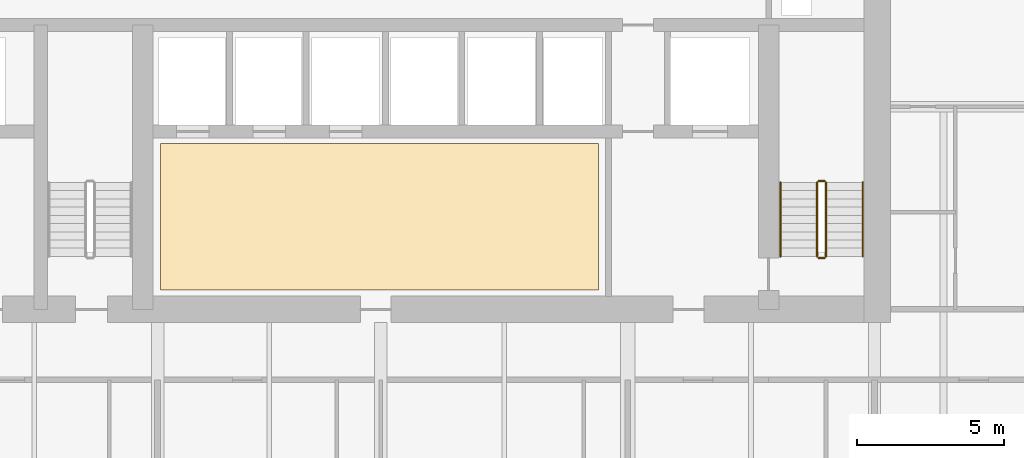
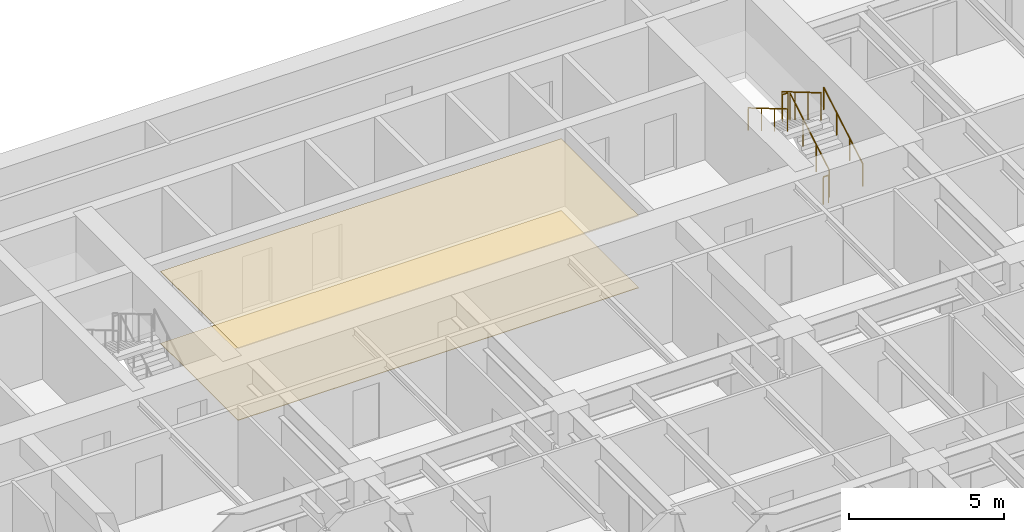
# One storey, part 16 of 17: 6 railings, 2 coverings.
"""IFC4 building model written with IfcOpenShell, lengths in metres."""

from ifc_helpers import new_model, si_unit, direction, frame, origin, origin_2d, place, context, subcontext, project, spatial, polyline, circle, outline, extrude, material, layer, layer_set, type_object, element, save


model = new_model("IFC4")

# Units and contexts
model_context = context("Model", 3, precision=1e-05, world=origin(), true_north=direction((0.0, 1.0)))
body_context = subcontext(model_context, "Body", "Model", "MODEL_VIEW")
ifc_project = project(units=[si_unit("LENGTHUNIT", "METRE"), si_unit("AREAUNIT", "SQUARE_METRE"), si_unit("VOLUMEUNIT", "CUBIC_METRE"), si_unit("PLANEANGLEUNIT", "RADIAN"), si_unit("MASSUNIT", "GRAM", prefix="KILO")], contexts=[model_context])

# Site, building, storey
site_placement = place(None, origin())
site = spatial("IfcSite", under=ifc_project, at=site_placement, CompositionType="ELEMENT")
building_placement = place(site_placement, origin())
building = spatial("IfcBuilding", under=site, at=building_placement, Name="Caelmar Bay Residences", CompositionType="ELEMENT")
storey_placement = place(building_placement, frame((0.0, 0.0, 30.0)))
storey = spatial("IfcBuildingStorey", under=building, at=storey_placement, Name="L06", CompositionType="ELEMENT", Elevation=30.0)

# Coverings
ifc_material_1 = material(Name="Perforated acoustic gypsum-mineral ceiling tile 20 mm")
ifc_layer_1 = layer(ifc_material_1, 0.02001953125)
ifc_layer_set_1 = layer_set([ifc_layer_1], Name="Perforated acoustic gypsum-mineral ceiling tile 20 mm")
covering_type_1 = type_object("IfcCoveringType", Name="COV-CEIL-20", PredefinedType="CEILING", material=ifc_layer_set_1)
covering_1_placement = place(storey_placement, frame((0.0, 0.0, 2.830078125)))
element("IfcCovering", 1, at=covering_1_placement, inside=storey, type_object=covering_type_1, Name="L06 Lift Lobby Acoustic Ceiling", PredefinedType="CEILING", context=body_context, shape_type="SweptSolid", body=[
    extrude(outline(polyline([(35.199951171875, 37.550048828125), (50.10009765625, 37.550048828125), (50.10009765625, 42.550048828125), (35.199951171875, 42.550048828125), (35.199951171875, 37.550048828125)])), origin(), (0.0, 0.0, 1.0), 0.02001953125),
])
ifc_material_2 = material(Name="Honed terrazzo and engineered white-oak flooring 20 mm")
ifc_layer_2 = layer(ifc_material_2, 0.02001953125)
ifc_layer_set_2 = layer_set([ifc_layer_2], Name="Honed terrazzo and engineered white-oak flooring 20 mm")
covering_type_2 = type_object("IfcCoveringType", Name="COV-FLR-20", PredefinedType="FLOORING", material=ifc_layer_set_2)
covering_2_placement = place(storey_placement, origin())
element("IfcCovering", 2, at=covering_2_placement, inside=storey, type_object=covering_type_2, Name="L06 Lift Lobby Terrazzo Flooring", PredefinedType="FLOORING", context=body_context, shape_type="SweptSolid", body=[
    extrude(outline(polyline([(35.199951171875, 37.550048828125), (50.10009765625, 37.550048828125), (50.10009765625, 42.550048828125), (35.199951171875, 42.550048828125), (35.199951171875, 37.550048828125)])), origin(), (0.0, 0.0, 1.0), 0.02001953125),
])

# Railings
ifc_material_3 = material(Name="Painted galvanized steel stair guard 1100 mm", Category="steel")
railing_type_1 = type_object("IfcRailingType", Name="RL-GRD-1100", PredefinedType="GUARDRAIL", material=ifc_material_3)
railing_1_placement = place(storey_placement, frame((57.85009765625, 38.699951171875, 0.1650390625)))
element("IfcRailing", 3, at=railing_1_placement, inside=storey, type_object=railing_type_1, Name="L06 ST2 stair guard 1", PredefinedType="GUARDRAIL", context=body_context, shape_type="SweptSolid", body=[
    extrude(circle(Radius=0.02392578125, at=origin_2d()), frame((0.0, 0.0, 1.076171875), z_axis=(0.0, 0.861560626758, 0.507654692109), x_axis=(-1.0, 0.0, 0.0)), (0.0, 0.0, 1.0), 2.925048828125),
    extrude(circle(Radius=0.02099609375, at=origin_2d()), origin(), (0.0, 0.0, 1.0), 1.052001953125),
    extrude(circle(Radius=0.02099609375, at=origin_2d()), frame((0.0, 0.840087890625, 0.494873046875)), (0.0, 0.0, 1.0), 1.052001953125),
    extrude(circle(Radius=0.02099609375, at=origin_2d()), frame((0.0, 1.679931640625, 0.989990234375)), (0.0, 0.0, 1.0), 1.052001953125),
    extrude(circle(Radius=0.02099609375, at=origin_2d()), frame((0.0, 2.52001953125, 1.48486328125)), (0.0, 0.0, 1.0), 1.052001953125),
])
railing_2_placement = place(storey_placement, frame((57.800048828125, 41.27001953125, 1.64990234375)))
element("IfcRailing", 4, at=railing_2_placement, inside=storey, type_object=railing_type_1, Name="L06 ST2 stair guard 2", PredefinedType="GUARDRAIL", context=body_context, shape_type="SweptSolid", body=[
    extrude(circle(Radius=0.02392578125, at=origin_2d()), frame((0.0, 0.0, 1.076171875), z_axis=(-1.0, 0.0, 0.0), x_axis=(0.0, -1.0, 0.0)), (0.0, 0.0, 1.0), 0.199951171875),
    extrude(circle(Radius=0.02099609375, at=origin_2d()), origin(), (0.0, 0.0, 1.0), 1.052001953125),
    extrude(circle(Radius=0.02099609375, at=origin_2d()), frame((-0.199951171875, 0.0, 0.0)), (0.0, 0.0, 1.0), 1.052001953125),
])
railing_3_placement = place(storey_placement, frame((57.550048828125, 41.219970703125, 1.81494140625)))
element("IfcRailing", 5, at=railing_3_placement, inside=storey, type_object=railing_type_1, Name="L06 ST2 stair guard 3", PredefinedType="GUARDRAIL", context=body_context, shape_type="SweptSolid", body=[
    extrude(circle(Radius=0.02392578125, at=origin_2d()), frame((0.0, 0.0, 1.076171875), z_axis=(0.0, -0.86152411907, 0.507716645641), x_axis=(1.0, 0.0, 0.0)), (0.0, 0.0, 1.0), 2.925048828125),
    extrude(circle(Radius=0.02099609375, at=origin_2d()), origin(), (0.0, 0.0, 1.0), 1.052001953125),
    extrude(circle(Radius=0.02099609375, at=origin_2d()), frame((0.0, -0.840087890625, 0.4951171875)), (0.0, 0.0, 1.0), 1.052001953125),
    extrude(circle(Radius=0.02099609375, at=origin_2d()), frame((0.0, -1.679931640625, 0.989990234375)), (0.0, 0.0, 1.0), 1.052001953125),
    extrude(circle(Radius=0.02099609375, at=origin_2d()), frame((0.0, -2.52001953125, 1.485107421875)), (0.0, 0.0, 1.0), 1.052001953125),
])
railing_4_placement = place(storey_placement, frame((57.800048828125, 38.64990234375, 0.0)))
element("IfcRailing", 6, at=railing_4_placement, inside=storey, type_object=railing_type_1, Name="L06 ST2 stair guard 4", PredefinedType="GUARDRAIL", context=body_context, shape_type="SweptSolid", body=[
    extrude(circle(Radius=0.02392578125, at=origin_2d()), frame((0.0, 0.0, 1.076171875), z_axis=(-1.0, 0.0, 0.0), x_axis=(0.0, -1.0, 0.0)), (0.0, 0.0, 1.0), 0.199951171875),
    extrude(circle(Radius=0.02099609375, at=origin_2d()), origin(), (0.0, 0.0, 1.0), 1.052001953125),
    extrude(circle(Radius=0.02099609375, at=origin_2d()), frame((-0.199951171875, 0.0, 0.0)), (0.0, 0.0, 1.0), 1.052001953125),
])
ifc_material_4 = material(Name="Brushed bronze stainless-steel tubular handrail 900 mm", Category="steel")
railing_type_2 = type_object("IfcRailingType", Name="RL-HND-900", PredefinedType="HANDRAIL", material=ifc_material_4)
railing_5_placement = place(storey_placement, frame((59.10009765625, 38.699951171875, 0.1650390625)))
element("IfcRailing", 7, at=railing_5_placement, inside=storey, type_object=railing_type_2, Name="L06 ST2 stair handrail 1", PredefinedType="HANDRAIL", context=body_context, shape_type="SweptSolid", body=[
    extrude(circle(Radius=0.02392578125, at=origin_2d()), frame((0.0, 0.0, 0.8759765625), z_axis=(0.0, 0.861560626758, 0.507654692109), x_axis=(-1.0, 0.0, 0.0)), (0.0, 0.0, 1.0), 2.925048828125),
    extrude(circle(Radius=0.02099609375, at=origin_2d()), origin(), (0.0, 0.0, 1.0), 0.851806640625),
    extrude(circle(Radius=0.02099609375, at=origin_2d()), frame((0.0, 0.840087890625, 0.494873046875)), (0.0, 0.0, 1.0), 0.851806640625),
    extrude(circle(Radius=0.02099609375, at=origin_2d()), frame((0.0, 1.679931640625, 0.989990234375)), (0.0, 0.0, 1.0), 0.851806640625),
    extrude(circle(Radius=0.02099609375, at=origin_2d()), frame((0.0, 2.52001953125, 1.48486328125)), (0.0, 0.0, 1.0), 0.851806640625),
])
railing_6_placement = place(storey_placement, frame((56.300048828125, 41.219970703125, 1.81494140625)))
element("IfcRailing", 8, at=railing_6_placement, inside=storey, type_object=railing_type_2, Name="L06 ST2 stair handrail 2", PredefinedType="HANDRAIL", context=body_context, shape_type="SweptSolid", body=[
    extrude(circle(Radius=0.02392578125, at=origin_2d()), frame((0.0, 0.0, 0.8759765625), z_axis=(0.0, -0.86152411907, 0.507716645641), x_axis=(1.0, 0.0, 0.0)), (0.0, 0.0, 1.0), 2.925048828125),
    extrude(circle(Radius=0.02099609375, at=origin_2d()), origin(), (0.0, 0.0, 1.0), 0.851806640625),
    extrude(circle(Radius=0.02099609375, at=origin_2d()), frame((0.0, -0.840087890625, 0.4951171875)), (0.0, 0.0, 1.0), 0.851806640625),
    extrude(circle(Radius=0.02099609375, at=origin_2d()), frame((0.0, -1.679931640625, 0.989990234375)), (0.0, 0.0, 1.0), 0.851806640625),
    extrude(circle(Radius=0.02099609375, at=origin_2d()), frame((0.0, -2.52001953125, 1.485107421875)), (0.0, 0.0, 1.0), 0.851806640625),
])

save(model, "model.ifc")
